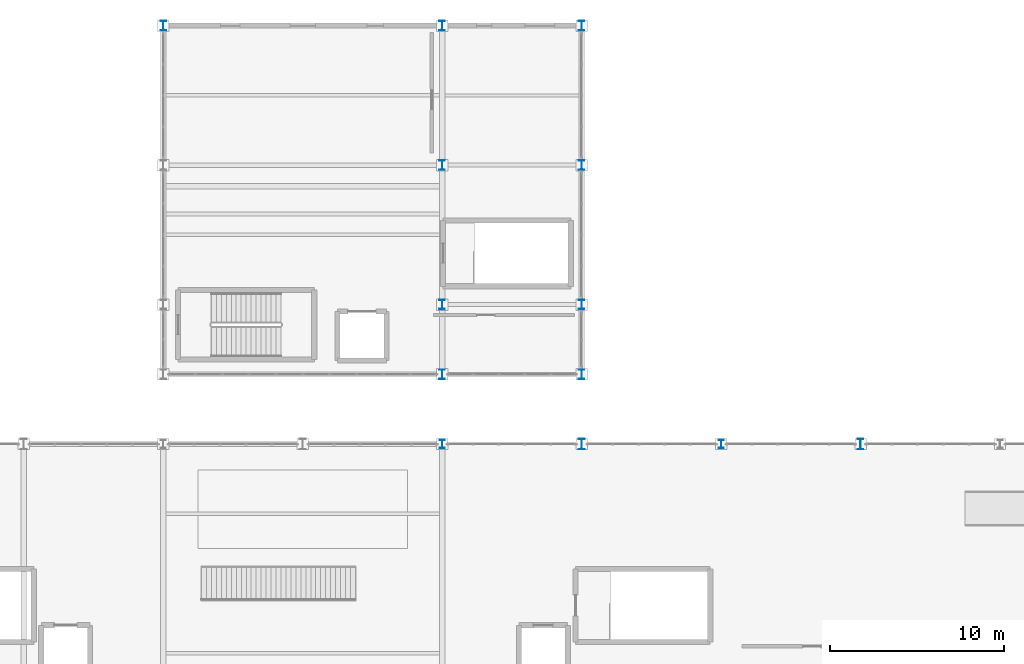
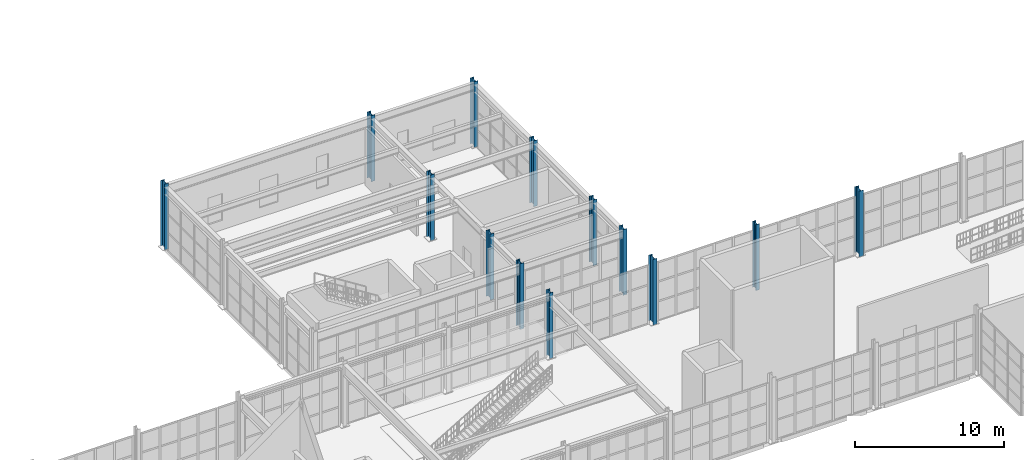
# One storey, part 8 of 82: 13 columns.
"""IFC4 building model written with IfcOpenShell, lengths in metres."""

from ifc_helpers import new_model, si_unit, direction, frame, origin, origin_2d, place, context, subcontext, project, spatial, i_section, extrude, material, material_profile, profile_set, type_object, element, save


model = new_model("IFC4")

# Units and contexts
model_context = context("Model", 3, precision=1e-05, world=origin(), true_north=direction((0.0, 1.0)))
body_context = subcontext(model_context, "Body", "Model", "MODEL_VIEW")
ifc_project = project(units=[si_unit("LENGTHUNIT", "METRE"), si_unit("AREAUNIT", "SQUARE_METRE"), si_unit("VOLUMEUNIT", "CUBIC_METRE"), si_unit("PLANEANGLEUNIT", "RADIAN"), si_unit("MASSUNIT", "GRAM", prefix="KILO")], contexts=[model_context])

# Site, building, storey
site_placement = place(None, origin())
site = spatial("IfcSite", under=ifc_project, at=site_placement, CompositionType="ELEMENT")
building_placement = place(site_placement, origin())
building = spatial("IfcBuilding", under=site, at=building_placement, Name="Serraluz Foothill Cableway Terminal", CompositionType="ELEMENT")
storey_placement = place(building_placement, frame((0.0, 0.0, 9.60009765625)))
storey = spatial("IfcBuildingStorey", under=building, at=storey_placement, Name="L02", CompositionType="ELEMENT", Elevation=9.60009765625)

# Columns
ifc_material = material(Name="Steel ASTM A992 Grade 50", Category="steel")
ifc_material_profile_1 = material_profile(ifc_material, i_section(OverallWidth=0.282958984375, OverallDepth=0.471923828125, WebThickness=0.013671875, FlangeThickness=0.022216796875, FilletRadius=0.014892578125, at=origin_2d()), Name="W18X97")
ifc_profile_set_1 = profile_set([ifc_material_profile_1], Name="Steel ASTM A992 Grade 50")
column_type_1 = type_object("IfcColumnType", Name="TYP-COL-W18X97", PredefinedType="COLUMN", material=ifc_profile_set_1)
for number, where, z_axis, x_axis, name in (
    (1, (96.0, 72.0, 0.0), (0.0, 0.0, 1.0), (1.0, 0.0, 0.0), "Column COL-V1-N-96-L02"),
    (2, (112.0, 72.0, 0.0), (0.0, 0.0, 1.0), (1.0, 0.0, 0.0), "Column COL-V1-N-112-L02"),
):
    element("IfcColumn", number, at=place(storey_placement, frame(where, z_axis=z_axis, x_axis=x_axis)), inside=storey, type_object=column_type_1, Name=name, PredefinedType="COLUMN", context=body_context, shape_type="SweptSolid", body=[
        extrude(i_section(OverallWidth=0.282958984375, OverallDepth=0.471923828125, WebThickness=0.013671875, FlangeThickness=0.022216796875, FilletRadius=0.014892578125, at=origin_2d()), origin(), (0.0, 0.0, 1.0), 5.39990234375),
    ])
ifc_material_profile_2 = material_profile(ifc_material, i_section(OverallWidth=0.31201171875, OverallDepth=0.54296875, WebThickness=0.0126953125, FlangeThickness=0.020263671875, FilletRadius=0.01611328125, at=origin_2d()), Name="W21X101")
ifc_profile_set_2 = profile_set([ifc_material_profile_2], Name="Steel ASTM A992 Grade 50")
column_type_2 = type_object("IfcColumnType", Name="TYP-COL-W21X101", PredefinedType="COLUMN", material=ifc_profile_set_2)
for number, where, z_axis, x_axis, name in (
    (3, (80.0, 96.0, 0.0), (0.0, 0.0, 1.0), (1.0, 0.0, 0.0), "Column COL-V4-80-960-L02"),
    (4, (96.0, 76.0, 0.0), (0.0, 0.0, 1.0), (1.0, 0.0, 0.0), "Column COL-V4-96-760-L02"),
    (5, (96.0, 80.0, 0.0), (0.0, 0.0, 1.0), (1.0, 0.0, 0.0), "Column COL-V4-96-800-L02"),
    (6, (96.0, 88.0, 0.0), (0.0, 0.0, 1.0), (1.0, 0.0, 0.0), "Column COL-V4-96-880-L02"),
    (7, (96.0, 96.0, 0.0), (0.0, 0.0, 1.0), (1.0, 0.0, 0.0), "Column COL-V4-96-960-L02"),
    (8, (104.0, 76.0, 0.0), (0.0, 0.0, 1.0), (1.0, 0.0, 0.0), "Column COL-V4-104-760-L02"),
    (9, (104.0, 80.0, 0.0), (0.0, 0.0, 1.0), (1.0, 0.0, 0.0), "Column COL-V4-104-800-L02"),
    (10, (104.0, 88.0, 0.0), (0.0, 0.0, 1.0), (1.0, 0.0, 0.0), "Column COL-V4-104-880-L02"),
    (11, (104.0, 96.0, 0.0), (0.0, 0.0, 1.0), (1.0, 0.0, 0.0), "Column COL-V4-104-960-L02"),
):
    element("IfcColumn", number, at=place(storey_placement, frame(where, z_axis=z_axis, x_axis=x_axis)), inside=storey, type_object=column_type_2, Name=name, PredefinedType="COLUMN", context=body_context, shape_type="SweptSolid", body=[
        extrude(i_section(OverallWidth=0.31201171875, OverallDepth=0.54296875, WebThickness=0.0126953125, FlangeThickness=0.020263671875, FilletRadius=0.01611328125, at=origin_2d()), origin(), (0.0, 0.0, 1.0), 5.39990234375),
    ])
ifc_material_profile_3 = material_profile(ifc_material, i_section(OverallWidth=0.324951171875, OverallDepth=0.615966796875, WebThickness=0.013916015625, FlangeThickness=0.021484375, FilletRadius=0.01806640625, at=origin_2d()), Name="W24X117")
ifc_profile_set_3 = profile_set([ifc_material_profile_3], Name="Steel ASTM A992 Grade 50")
column_type_3 = type_object("IfcColumnType", Name="TYP-COL-W24X117", PredefinedType="COLUMN", material=ifc_profile_set_3)
for number, where, z_axis, x_axis, name in (
    (12, (104.0, 72.0, 0.0), (0.0, 0.0, 1.0), (1.0, 0.0, 0.0), "Column COL-V1-N-104-L02"),
    (13, (120.0, 72.0, 0.0), (0.0, 0.0, 1.0), (1.0, 0.0, 0.0), "Column COL-V1-N-120-L02"),
):
    element("IfcColumn", number, at=place(storey_placement, frame(where, z_axis=z_axis, x_axis=x_axis)), inside=storey, type_object=column_type_3, Name=name, PredefinedType="COLUMN", context=body_context, shape_type="SweptSolid", body=[
        extrude(i_section(OverallWidth=0.324951171875, OverallDepth=0.615966796875, WebThickness=0.013916015625, FlangeThickness=0.021484375, FilletRadius=0.01806640625, at=origin_2d()), origin(), (0.0, 0.0, 1.0), 5.39990234375),
    ])

save(model, "model.ifc")
